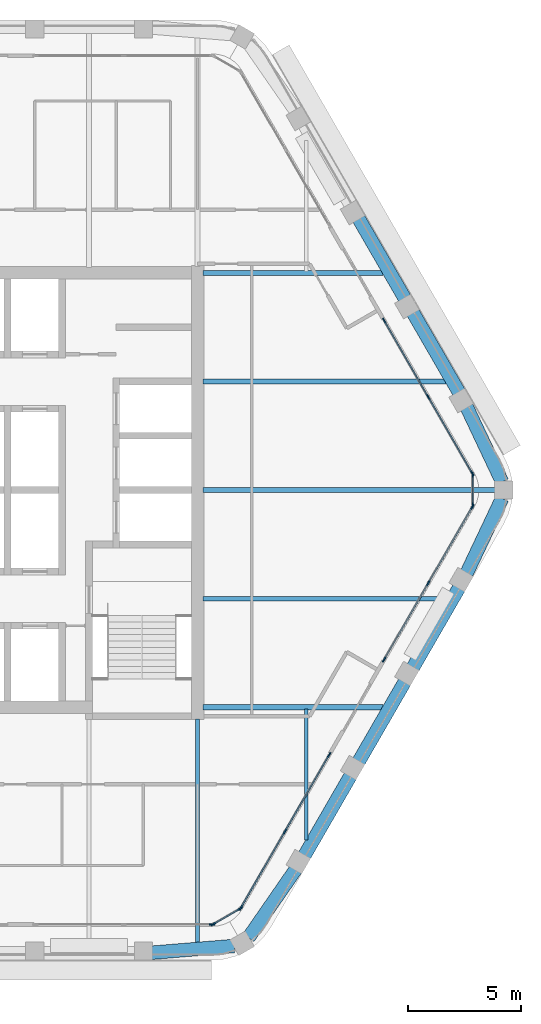
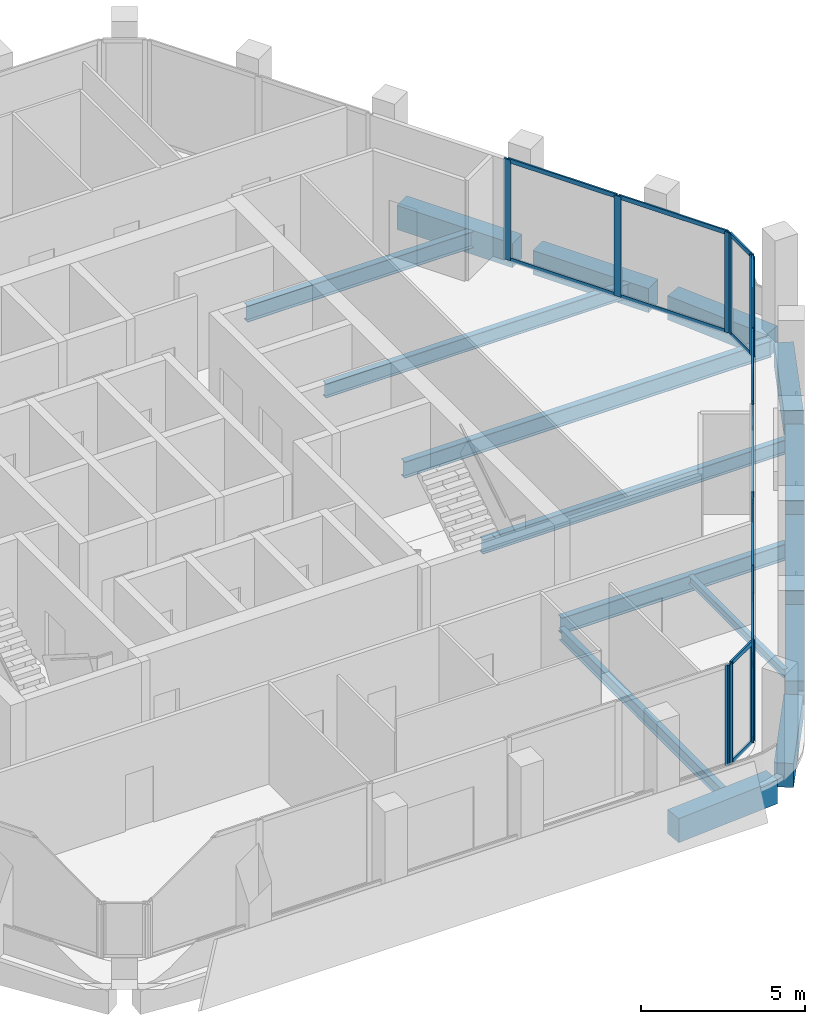
# One storey, part 4 of 13: 30 members, 16 beams, 6 elements without a shape of their own.
"""IFC4 building model written with IfcOpenShell, lengths in metres."""

from ifc_helpers import new_model, si_unit, direction, frame, origin, origin_2d, place, context, subcontext, project, spatial, rectangle, i_section, extrude, material, material_profile, profile_set, type_object, element, aggregate, save


model = new_model("IFC4")

# Units and contexts
model_context = context("Model", 3, precision=1e-05, world=origin(), true_north=direction((0.0, 1.0)))
body_context = subcontext(model_context, "Body", "Model", "MODEL_VIEW")
ifc_project = project(units=[si_unit("LENGTHUNIT", "METRE"), si_unit("AREAUNIT", "SQUARE_METRE"), si_unit("VOLUMEUNIT", "CUBIC_METRE"), si_unit("PLANEANGLEUNIT", "RADIAN"), si_unit("MASSUNIT", "GRAM", prefix="KILO")], contexts=[model_context])

# Site, building, storey
site_placement = place(None, origin())
site = spatial("IfcSite", under=ifc_project, at=site_placement, CompositionType="ELEMENT")
building_placement = place(site_placement, origin())
building = spatial("IfcBuilding", under=site, at=building_placement, Name="Kolab Exchange Tower", CompositionType="ELEMENT")
storey_placement = place(building_placement, frame((0.0, 0.0, 257.89990234375)))
storey = spatial("IfcBuildingStorey", under=building, at=storey_placement, Name="L57", CompositionType="ELEMENT", Elevation=257.89990234375)

# Beams
ifc_material_1 = material(Name="Steel S355", Category="steel")
ifc_material_profile_1 = material_profile(ifc_material_1, i_section(OverallWidth=0.1650390625, OverallDepth=0.31005859375, WebThickness=0.005859375, FlangeThickness=0.009765625, at=origin_2d()), Name="W310X39")
ifc_profile_set_1 = profile_set([ifc_material_profile_1], Name="Steel S355")
beam_type_1 = type_object("IfcBeamType", Name="FLOOR BEAM W310X39", PredefinedType="BEAM", material=ifc_profile_set_1)
beam_1_placement = place(storey_placement, frame((14.39990234375, -15.4677734375, -0.304931640625), z_axis=(0.0, 1.0, 0.0), x_axis=(-1.0, 0.0, 0.0)))
element("IfcBeam", 1, at=beam_1_placement, inside=storey, type_object=beam_type_1, Name="beam/L57/fr/018", PredefinedType="BEAM", context=body_context, shape_type="SweptSolid", body=[
    extrude(i_section(OverallWidth=0.1650390625, OverallDepth=0.31005859375, WebThickness=0.005859375, FlangeThickness=0.009765625, at=origin_2d()), origin(), (0.0, 0.0, 1.0), 5.793701171875),
])
ifc_material_profile_2 = material_profile(ifc_material_1, i_section(OverallWidth=0.18994140625, OverallDepth=0.45703125, WebThickness=0.009033203125, FlangeThickness=0.014404296875, at=origin_2d()), Name="W460X74")
ifc_profile_set_2 = profile_set([ifc_material_profile_2], Name="Steel S355")
beam_type_2 = type_object("IfcBeamType", Name="FLOOR BEAM W460X74", PredefinedType="BEAM", material=ifc_profile_set_2)
beam_2_placement = place(storey_placement, frame((9.60009765625, -20.027099609375, -0.37841796875), z_axis=(0.0, 1.0, 0.0), x_axis=(-1.0, 0.0, 0.0)))
element("IfcBeam", 2, at=beam_2_placement, inside=storey, type_object=beam_type_2, Name="beam/L57/fr/013", PredefinedType="BEAM", context=body_context, shape_type="SweptSolid", body=[
    extrude(i_section(OverallWidth=0.18994140625, OverallDepth=0.45703125, WebThickness=0.009033203125, FlangeThickness=0.014404296875, at=origin_2d()), origin(), (0.0, 0.0, 1.0), 9.9169921875),
])
ifc_material_profile_3 = material_profile(ifc_material_1, i_section(OverallWidth=0.208984375, OverallDepth=0.532958984375, WebThickness=0.01025390625, FlangeThickness=0.015625, at=origin_2d()), Name="W530X92")
ifc_profile_set_3 = profile_set([ifc_material_profile_3], Name="Steel S355")
beam_type_3 = type_object("IfcBeamType", Name="FLOOR BEAM W530X92", PredefinedType="BEAM", material=ifc_profile_set_3)
for number, where, z_axis, x_axis, name in (
    (3, (9.8349609375, -4.800048828125, -0.41650390625), (1.0, 0.0, 0.0), (0.0, 1.0, 0.0), "beam/L57/fr/015"),
    (4, (9.8349609375, 4.800048828125, -0.41650390625), (1.0, 0.0, 0.0), (0.0, 1.0, 0.0), "beam/L57/fr/017"),
):
    element("IfcBeam", number, at=place(storey_placement, frame(where, z_axis=z_axis, x_axis=x_axis)), inside=storey, type_object=beam_type_3, Name=name, PredefinedType="BEAM", context=body_context, shape_type="SweptSolid", body=[
        extrude(i_section(OverallWidth=0.208984375, OverallDepth=0.532958984375, WebThickness=0.01025390625, FlangeThickness=0.015625, at=origin_2d()), origin(), (0.0, 0.0, 1.0), 10.740966796875),
    ])
ifc_material_profile_4 = material_profile(ifc_material_1, i_section(OverallWidth=0.22802734375, OverallDepth=0.60791015625, WebThickness=0.01123046875, FlangeThickness=0.017333984375, at=origin_2d()), Name="W610X113")
ifc_profile_set_4 = profile_set([ifc_material_profile_4], Name="Steel S355")
beam_type_4 = type_object("IfcBeamType", Name="FLOOR BEAM W610X113", PredefinedType="BEAM", material=ifc_profile_set_4)
beam_3_placement = place(storey_placement, frame((9.8349609375, 0.0, -0.453857421875), z_axis=(1.0, 0.0, 0.0), x_axis=(0.0, 1.0, 0.0)))
element("IfcBeam", 5, at=beam_3_placement, inside=storey, type_object=beam_type_4, Name="beam/L57/fr/016", PredefinedType="BEAM", context=body_context, shape_type="SweptSolid", body=[
    extrude(i_section(OverallWidth=0.22802734375, OverallDepth=0.60791015625, WebThickness=0.01123046875, FlangeThickness=0.017333984375, at=origin_2d()), origin(), (0.0, 0.0, 1.0), 12.94091796875),
])
ifc_material_profile_5 = material_profile(ifc_material_1, i_section(OverallWidth=0.22802734375, OverallDepth=0.60791015625, WebThickness=0.01123046875, FlangeThickness=0.017333984375, at=origin_2d()), Name="W610X113")
ifc_profile_set_5 = profile_set([ifc_material_profile_5], Name="Steel S355")
beam_type_5 = type_object("IfcBeamType", Name="FLOOR GIRDER W610X113", PredefinedType="BEAM", material=ifc_profile_set_5)
for number, where, z_axis, x_axis, name in (
    (6, (9.8349609375, -9.60009765625, -0.453857421875), (1.0, 0.0, 0.0), (0.0, 1.0, 0.0), "beam/L57/gd/002"),
    (7, (9.8349609375, 9.60009765625, -0.453857421875), (1.0, 0.0, 0.0), (0.0, 1.0, 0.0), "beam/L57/gd/003"),
):
    element("IfcBeam", number, at=place(storey_placement, frame(where, z_axis=z_axis, x_axis=x_axis)), inside=storey, type_object=beam_type_5, Name=name, PredefinedType="BEAM", context=body_context, shape_type="SweptSolid", body=[
        extrude(i_section(OverallWidth=0.22802734375, OverallDepth=0.60791015625, WebThickness=0.01123046875, FlangeThickness=0.017333984375, at=origin_2d()), origin(), (0.0, 0.0, 1.0), 7.9697265625),
    ])
ifc_material_2 = material(Name="Concrete C50/60", Category="concrete")
ifc_material_profile_6 = material_profile(ifc_material_2, rectangle(XDim=0.60009765625, YDim=0.89990234375, at=origin_2d()), Name="RC600X900")
ifc_profile_set_6 = profile_set([ifc_material_profile_6], Name="Concrete C50/60")
beam_type_6 = type_object("IfcBeamType", Name="SPANDREL BEAM 600X900 C50/60", PredefinedType="BEAM", material=ifc_profile_set_6)
for number, where, z_axis, x_axis, name in (
    (8, (16.72021484375, 12.009033203125, -0.599853515625), (0.500000428765, -0.866025156237, 0.0), (0.866025156237, 0.500000428765, 0.0), "beam/L57/sp/F2-03"),
    (9, (19.1201171875, 7.85205078125, -0.599853515625), (0.500000428765, -0.866025156237, 0.0), (0.866025156237, 0.500000428765, 0.0), "beam/L57/sp/F2-04"),
):
    element("IfcBeam", number, at=place(storey_placement, frame(where, z_axis=z_axis, x_axis=x_axis)), inside=storey, type_object=beam_type_6, Name=name, PredefinedType="BEAM", context=body_context, shape_type="SweptSolid", body=[
        extrude(rectangle(XDim=0.60009765625, YDim=0.89990234375, at=origin_2d()), origin(), (0.0, 0.0, 1.0), 4.080078125),
    ])
for number, where, z_axis, x_axis, name in (
    (10, (21.49462890625, 3.68017578125, -0.599853515625), (0.427677251998, -0.903931506323, 0.0), (0.903931506323, 0.427677251998, 0.0), "beam/L57/sp/F2-05"),
    (11, (23.063720703125, -0.36376953125, -0.599853515625), (-0.427677251998, -0.903931506323, 0.0), (0.903931506323, -0.427677251998, 0.0), "beam/L57/sp/F3-01"),
):
    element("IfcBeam", number, at=place(storey_placement, frame(where, z_axis=z_axis, x_axis=x_axis)), inside=storey, type_object=beam_type_6, Name=name, PredefinedType="BEAM", context=body_context, shape_type="SweptSolid", body=[
        extrude(rectangle(XDim=0.60009765625, YDim=0.89990234375, at=origin_2d()), origin(), (0.0, 0.0, 1.0), 3.6689453125),
    ])
for number, where, z_axis, x_axis, name in (
    (12, (21.16015625, -4.318603515625, -0.599853515625), (-0.500000428765, -0.866025156237, 0.0), (0.866025156237, -0.500000428765, 0.0), "beam/L57/sp/F3-02"),
    (13, (18.76025390625, -8.4755859375, -0.599853515625), (-0.500000428765, -0.866025156237, 0.0), (0.866025156237, -0.500000428765, 0.0), "beam/L57/sp/F3-03"),
):
    element("IfcBeam", number, at=place(storey_placement, frame(where, z_axis=z_axis, x_axis=x_axis)), inside=storey, type_object=beam_type_6, Name=name, PredefinedType="BEAM", context=body_context, shape_type="SweptSolid", body=[
        extrude(rectangle(XDim=0.60009765625, YDim=0.89990234375, at=origin_2d()), origin(), (0.0, 0.0, 1.0), 4.080078125),
    ])
beam_4_placement = place(storey_placement, frame((16.360107421875, -12.632568359375, -0.599853515625), z_axis=(-0.499955548806, -0.866051066172, 0.0), x_axis=(0.866051066172, -0.499955548806, 0.0)))
element("IfcBeam", 14, at=beam_4_placement, inside=storey, type_object=beam_type_6, Name="beam/L57/sp/F3-04", PredefinedType="BEAM", context=body_context, shape_type="SweptSolid", body=[
    extrude(rectangle(XDim=0.60009765625, YDim=0.89990234375, at=origin_2d()), origin(), (0.0, 0.0, 1.0), 4.079833984375),
])
for number, where, z_axis, x_axis, name in (
    (15, (13.9345703125, -16.77490234375, -0.599853515625), (-0.569005808573, -0.822333502789, 0.0), (0.822333502789, -0.569005808573, 0.0), "beam/L57/sp/F3-05"),
    (16, (11.216796875, -20.15576171875, -0.599853515625), (-0.996666751878, -0.081580547323, 0.0), (0.081580547323, -0.996666751878, 0.0), "beam/L57/sp/F4-01"),
):
    element("IfcBeam", number, at=place(storey_placement, frame(where, z_axis=z_axis, x_axis=x_axis)), inside=storey, type_object=beam_type_6, Name=name, PredefinedType="BEAM", context=body_context, shape_type="SweptSolid", body=[
        extrude(rectangle(XDim=0.60009765625, YDim=0.89990234375, at=origin_2d()), origin(), (0.0, 0.0, 1.0), 3.6689453125),
    ])

# Curtain wall, members
ifc_material_3 = material(Name="Aluminium EN AW-6063 T6", Category="aluminium")
curtain_wall_type = type_object("IfcCurtainWallType", Name="UNITISED HIGH ZONE CURTAIN WALL", PredefinedType="NOTDEFINED", material=ifc_material_3)
curtain_wall_1_placement = place(storey_placement, origin())
curtain_wall_1 = element("IfcCurtainWall", 17, at=curtain_wall_1_placement, inside=storey, type_object=curtain_wall_type, Name="cw/L57/F2-2", PredefinedType="NOTDEFINED")
ifc_material_profile_7 = material_profile(ifc_material_3, rectangle(XDim=0.06005859375, YDim=0.239990234375, at=origin_2d()), Name="RECT 60X240")
ifc_profile_set_7 = profile_set([ifc_material_profile_7], Name="Aluminium EN AW-6063 T6")
member_type_1 = type_object("IfcMemberType", Name="UNITISED HIGH ZONE MULLION 60 X 240", PredefinedType="MULLION", material=ifc_profile_set_7)
member_1_placement = place(storey_placement, frame((17.8466796875, 7.497802734375, 0.0), z_axis=(0.0, 0.0, 1.0), x_axis=(0.866025440524, 0.499999936366, 0.0)))
member_1 = element("IfcMember", 18, at=member_1_placement, type_object=member_type_1, Name="CW4 mullion 1", PredefinedType="MULLION", context=body_context, shape_type="SweptSolid", body=[
    extrude(rectangle(XDim=0.06005859375, YDim=0.239990234375, at=origin_2d()), origin(), (0.0, 0.0, 1.0), 3.75),
])
member_2_placement = place(storey_placement, frame((19.798583984375, 4.116943359375, 0.0), z_axis=(0.0, 0.0, 1.0), x_axis=(0.866025440524, 0.499999936366, 0.0)))
member_2 = element("IfcMember", 19, at=member_2_placement, type_object=member_type_1, Name="CW4 mullion 2", PredefinedType="MULLION", context=body_context, shape_type="SweptSolid", body=[
    extrude(rectangle(XDim=0.06005859375, YDim=0.239990234375, at=origin_2d()), origin(), (0.0, 0.0, 1.0), 3.75),
])
member_3_placement = place(storey_placement, frame((21.750732421875, 0.736083984375, 0.0), z_axis=(0.0, 0.0, 1.0), x_axis=(0.866025440524, 0.499999936366, 0.0)))
member_3 = element("IfcMember", 20, at=member_3_placement, type_object=member_type_1, Name="CW4 mullion 3", PredefinedType="MULLION", context=body_context, shape_type="SweptSolid", body=[
    extrude(rectangle(XDim=0.06005859375, YDim=0.239990234375, at=origin_2d()), origin(), (0.0, 0.0, 1.0), 3.75),
])

curtain_wall_2_placement = place(storey_placement, origin())
curtain_wall_2 = element("IfcCurtainWall", 21, at=curtain_wall_2_placement, inside=storey, type_object=curtain_wall_type, Name="cw/L57/F3-1", PredefinedType="NOTDEFINED")
member_4_placement = place(storey_placement, frame((21.750732421875, -0.736083984375, 0.0), z_axis=(0.0, 0.0, 1.0), x_axis=(0.866025440524, -0.499999936366, 0.0)))
member_4 = element("IfcMember", 22, at=member_4_placement, type_object=member_type_1, Name="CW4 mullion 1", PredefinedType="MULLION", context=body_context, shape_type="SweptSolid", body=[
    extrude(rectangle(XDim=0.06005859375, YDim=0.239990234375, at=origin_2d()), origin(), (0.0, 0.0, 1.0), 3.75),
])
member_5_placement = place(storey_placement, frame((19.798583984375, -4.116943359375, 0.0), z_axis=(0.0, 0.0, 1.0), x_axis=(0.866025440524, -0.499999936366, 0.0)))
member_5 = element("IfcMember", 23, at=member_5_placement, type_object=member_type_1, Name="CW4 mullion 2", PredefinedType="MULLION", context=body_context, shape_type="SweptSolid", body=[
    extrude(rectangle(XDim=0.06005859375, YDim=0.239990234375, at=origin_2d()), origin(), (0.0, 0.0, 1.0), 3.75),
])
member_6_placement = place(storey_placement, frame((17.8466796875, -7.497802734375, 0.0), z_axis=(0.0, 0.0, 1.0), x_axis=(0.866025440524, -0.499999936366, 0.0)))
member_6 = element("IfcMember", 24, at=member_6_placement, type_object=member_type_1, Name="CW4 mullion 3", PredefinedType="MULLION", context=body_context, shape_type="SweptSolid", body=[
    extrude(rectangle(XDim=0.06005859375, YDim=0.239990234375, at=origin_2d()), origin(), (0.0, 0.0, 1.0), 3.75),
])

curtain_wall_3_placement = place(storey_placement, origin())
curtain_wall_3 = element("IfcCurtainWall", 25, at=curtain_wall_3_placement, inside=storey, type_object=curtain_wall_type, Name="cw/L57/F3-2", PredefinedType="NOTDEFINED")
member_7_placement = place(storey_placement, frame((15.416748046875, -11.706787109375, 0.0), z_axis=(0.0, 0.0, 1.0), x_axis=(0.866025385493, -0.500000031681, 0.0)))
member_7 = element("IfcMember", 26, at=member_7_placement, type_object=member_type_1, Name="CW4 mullion 1", PredefinedType="MULLION", context=body_context, shape_type="SweptSolid", body=[
    extrude(rectangle(XDim=0.06005859375, YDim=0.239990234375, at=origin_2d()), origin(), (0.0, 0.0, 1.0), 3.75),
])
member_8_placement = place(storey_placement, frame((13.464599609375, -15.087646484375, 0.0), z_axis=(0.0, 0.0, 1.0), x_axis=(0.866025385493, -0.500000031681, 0.0)))
member_8 = element("IfcMember", 27, at=member_8_placement, type_object=member_type_1, Name="CW4 mullion 2", PredefinedType="MULLION", context=body_context, shape_type="SweptSolid", body=[
    extrude(rectangle(XDim=0.06005859375, YDim=0.239990234375, at=origin_2d()), origin(), (0.0, 0.0, 1.0), 3.75),
])
member_9_placement = place(storey_placement, frame((11.5126953125, -18.46875, 0.0), z_axis=(0.0, 0.0, 1.0), x_axis=(0.866025385493, -0.500000031681, 0.0)))
member_9 = element("IfcMember", 28, at=member_9_placement, type_object=member_type_1, Name="CW4 mullion 3", PredefinedType="MULLION", context=body_context, shape_type="SweptSolid", body=[
    extrude(rectangle(XDim=0.06005859375, YDim=0.239990234375, at=origin_2d()), origin(), (0.0, 0.0, 1.0), 3.75),
])

# Curtain wall, member
curtain_wall_4_placement = place(storey_placement, origin())
curtain_wall_4 = element("IfcCurtainWall", 29, at=curtain_wall_4_placement, inside=storey, type_object=curtain_wall_type, Name="cw/L57/F4-1", PredefinedType="NOTDEFINED")
member_10_placement = place(storey_placement, frame((10.238037109375, -19.20458984375, 0.0), z_axis=(0.0, 0.0, 1.0), x_axis=(0.0, -1.0, 0.0)))
member_10 = element("IfcMember", 30, at=member_10_placement, type_object=member_type_1, Name="CW4 mullion 1", PredefinedType="MULLION", context=body_context, shape_type="SweptSolid", body=[
    extrude(rectangle(XDim=0.06005859375, YDim=0.239990234375, at=origin_2d()), origin(), (0.0, 0.0, 1.0), 3.75),
])
aggregate(curtain_wall_4, [member_10])

# Curtain wall, members
curtain_wall_5_placement = place(storey_placement, origin())
curtain_wall_5 = element("IfcCurtainWall", 31, at=curtain_wall_5_placement, inside=storey, type_object=curtain_wall_type, Name="cw/L57/F2F3-corner", PredefinedType="NOTDEFINED")
member_11_placement = place(storey_placement, frame((21.765625, 0.679931640625, 0.0), z_axis=(0.0, 0.0, 1.0), x_axis=(1.0, 0.0, 0.0)))
member_11 = element("IfcMember", 32, at=member_11_placement, type_object=member_type_1, Name="CW4 mullion 1", PredefinedType="MULLION", context=body_context, shape_type="SweptSolid", body=[
    extrude(rectangle(XDim=0.06005859375, YDim=0.239990234375, at=origin_2d()), origin(), (0.0, 0.0, 1.0), 3.75),
])
member_12_placement = place(storey_placement, frame((21.765625, -0.679931640625, 0.0), z_axis=(0.0, 0.0, 1.0), x_axis=(1.0, 0.0, 0.0)))
member_12 = element("IfcMember", 33, at=member_12_placement, type_object=member_type_1, Name="CW4 mullion 2", PredefinedType="MULLION", context=body_context, shape_type="SweptSolid", body=[
    extrude(rectangle(XDim=0.06005859375, YDim=0.239990234375, at=origin_2d()), origin(), (0.0, 0.0, 1.0), 3.75),
])

curtain_wall_6_placement = place(storey_placement, origin())
curtain_wall_6 = element("IfcCurtainWall", 34, at=curtain_wall_6_placement, inside=storey, type_object=curtain_wall_type, Name="cw/L57/F3F4-corner", PredefinedType="NOTDEFINED")
member_13_placement = place(storey_placement, frame((11.4716796875, -18.509521484375, 0.0), z_axis=(0.0, 0.0, 1.0), x_axis=(0.50000002237, -0.866025390869, 0.0)))
member_13 = element("IfcMember", 35, at=member_13_placement, type_object=member_type_1, Name="CW4 mullion 1", PredefinedType="MULLION", context=body_context, shape_type="SweptSolid", body=[
    extrude(rectangle(XDim=0.06005859375, YDim=0.239990234375, at=origin_2d()), origin(), (0.0, 0.0, 1.0), 3.75),
])
member_14_placement = place(storey_placement, frame((10.2939453125, -19.189697265625, 0.0), z_axis=(0.0, 0.0, 1.0), x_axis=(0.50000002237, -0.866025390869, 0.0)))
member_14 = element("IfcMember", 36, at=member_14_placement, type_object=member_type_1, Name="CW4 mullion 2", PredefinedType="MULLION", context=body_context, shape_type="SweptSolid", body=[
    extrude(rectangle(XDim=0.06005859375, YDim=0.239990234375, at=origin_2d()), origin(), (0.0, 0.0, 1.0), 3.75),
])

# Member
ifc_material_profile_8 = material_profile(ifc_material_3, rectangle(XDim=0.06005859375, YDim=0.159912109375, at=origin_2d()), Name="RECT 60X160")
ifc_profile_set_8 = profile_set([ifc_material_profile_8], Name="Aluminium EN AW-6063 T6")
member_type_2 = type_object("IfcMemberType", Name="UNITISED HIGH ZONE TRANSOM 60 X 160", PredefinedType="USERDEFINED", material=ifc_profile_set_8)
member_15_placement = place(storey_placement, frame((17.861572265625, 7.471923828125, 0.030029296875), z_axis=(0.500011990396, -0.866018481016, 0.0), x_axis=(0.866018481016, 0.500011990396, 0.0)))
member_15 = element("IfcMember", 37, at=member_15_placement, type_object=member_type_2, Name="CW4 transom 1.1", ObjectType="TRANSOM", PredefinedType="USERDEFINED", context=body_context, shape_type="SweptSolid", body=[
    extrude(rectangle(XDim=0.06005859375, YDim=0.159912109375, at=origin_2d()), origin(), (0.0, 0.0, 1.0), 3.84423828125),
])

member_16_placement = place(storey_placement, frame((17.861572265625, 7.471923828125, 3.72021484375), z_axis=(0.500011990396, -0.866018481016, 0.0), x_axis=(0.866018481016, 0.500011990396, 0.0)))
member_16 = element("IfcMember", 38, at=member_16_placement, type_object=member_type_2, Name="CW4 transom 1.2", ObjectType="TRANSOM", PredefinedType="USERDEFINED", context=body_context, shape_type="SweptSolid", body=[
    extrude(rectangle(XDim=0.06005859375, YDim=0.159912109375, at=origin_2d()), origin(), (0.0, 0.0, 1.0), 3.84423828125),
])

member_17_placement = place(storey_placement, frame((19.813720703125, 4.0908203125, 0.030029296875), z_axis=(0.499991857942, -0.866030104553, 0.0), x_axis=(0.866030104553, 0.499991857942, 0.0)))
member_17 = element("IfcMember", 39, at=member_17_placement, type_object=member_type_2, Name="CW4 transom 2.1", ObjectType="TRANSOM", PredefinedType="USERDEFINED", context=body_context, shape_type="SweptSolid", body=[
    extrude(rectangle(XDim=0.06005859375, YDim=0.159912109375, at=origin_2d()), origin(), (0.0, 0.0, 1.0), 3.84375),
])

member_18_placement = place(storey_placement, frame((19.813720703125, 4.0908203125, 3.72021484375), z_axis=(0.499991857942, -0.866030104553, 0.0), x_axis=(0.866030104553, 0.499991857942, 0.0)))
member_18 = element("IfcMember", 40, at=member_18_placement, type_object=member_type_2, Name="CW4 transom 2.2", ObjectType="TRANSOM", PredefinedType="USERDEFINED", context=body_context, shape_type="SweptSolid", body=[
    extrude(rectangle(XDim=0.06005859375, YDim=0.159912109375, at=origin_2d()), origin(), (0.0, 0.0, 1.0), 3.84375),
])

aggregate(curtain_wall_1, [member_1, member_2, member_3, member_15, member_16, member_17, member_18])

member_19_placement = place(storey_placement, frame((21.735595703125, -0.761962890625, 0.030029296875), z_axis=(-0.499991857942, -0.866030104553, 0.0), x_axis=(0.866030104553, -0.499991857942, 0.0)))
member_19 = element("IfcMember", 41, at=member_19_placement, type_object=member_type_2, Name="CW4 transom 1.1", ObjectType="TRANSOM", PredefinedType="USERDEFINED", context=body_context, shape_type="SweptSolid", body=[
    extrude(rectangle(XDim=0.06005859375, YDim=0.159912109375, at=origin_2d()), origin(), (0.0, 0.0, 1.0), 3.84375),
])

member_20_placement = place(storey_placement, frame((21.735595703125, -0.761962890625, 3.72021484375), z_axis=(-0.499991857942, -0.866030104553, 0.0), x_axis=(0.866030104553, -0.499991857942, 0.0)))
member_20 = element("IfcMember", 42, at=member_20_placement, type_object=member_type_2, Name="CW4 transom 1.2", ObjectType="TRANSOM", PredefinedType="USERDEFINED", context=body_context, shape_type="SweptSolid", body=[
    extrude(rectangle(XDim=0.06005859375, YDim=0.159912109375, at=origin_2d()), origin(), (0.0, 0.0, 1.0), 3.84375),
])

member_21_placement = place(storey_placement, frame((19.78369140625, -4.142822265625, 0.030029296875), z_axis=(-0.500011990396, -0.866018481016, 0.0), x_axis=(0.866018481016, -0.500011990396, 0.0)))
member_21 = element("IfcMember", 43, at=member_21_placement, type_object=member_type_2, Name="CW4 transom 2.1", ObjectType="TRANSOM", PredefinedType="USERDEFINED", context=body_context, shape_type="SweptSolid", body=[
    extrude(rectangle(XDim=0.06005859375, YDim=0.159912109375, at=origin_2d()), origin(), (0.0, 0.0, 1.0), 3.84423828125),
])

member_22_placement = place(storey_placement, frame((19.78369140625, -4.142822265625, 3.72021484375), z_axis=(-0.500011990396, -0.866018481016, 0.0), x_axis=(0.866018481016, -0.500011990396, 0.0)))
member_22 = element("IfcMember", 44, at=member_22_placement, type_object=member_type_2, Name="CW4 transom 2.2", ObjectType="TRANSOM", PredefinedType="USERDEFINED", context=body_context, shape_type="SweptSolid", body=[
    extrude(rectangle(XDim=0.06005859375, YDim=0.159912109375, at=origin_2d()), origin(), (0.0, 0.0, 1.0), 3.84423828125),
])

aggregate(curtain_wall_2, [member_4, member_5, member_6, member_19, member_20, member_21, member_22])

member_23_placement = place(storey_placement, frame((15.401611328125, -11.732666015625, 0.030029296875), z_axis=(-0.499964356602, -0.866045981532, 0.0), x_axis=(0.866045981532, -0.499964356602, 0.0)))
member_23 = element("IfcMember", 45, at=member_23_placement, type_object=member_type_2, Name="CW4 transom 1.1", ObjectType="TRANSOM", PredefinedType="USERDEFINED", context=body_context, shape_type="SweptSolid", body=[
    extrude(rectangle(XDim=0.06005859375, YDim=0.159912109375, at=origin_2d()), origin(), (0.0, 0.0, 1.0), 3.843994140625),
])

member_24_placement = place(storey_placement, frame((15.401611328125, -11.732666015625, 3.72021484375), z_axis=(-0.499964356602, -0.866045981532, 0.0), x_axis=(0.866045981532, -0.499964356602, 0.0)))
member_24 = element("IfcMember", 46, at=member_24_placement, type_object=member_type_2, Name="CW4 transom 1.2", ObjectType="TRANSOM", PredefinedType="USERDEFINED", context=body_context, shape_type="SweptSolid", body=[
    extrude(rectangle(XDim=0.06005859375, YDim=0.159912109375, at=origin_2d()), origin(), (0.0, 0.0, 1.0), 3.843994140625),
])

member_25_placement = place(storey_placement, frame((13.44970703125, -15.11376953125, 0.030029296875), z_axis=(-0.500039492609, -0.866002601515, 0.0), x_axis=(0.866002601515, -0.500039492609, 0.0)))
member_25 = element("IfcMember", 47, at=member_25_placement, type_object=member_type_2, Name="CW4 transom 2.1", ObjectType="TRANSOM", PredefinedType="USERDEFINED", context=body_context, shape_type="SweptSolid", body=[
    extrude(rectangle(XDim=0.06005859375, YDim=0.159912109375, at=origin_2d()), origin(), (0.0, 0.0, 1.0), 3.843994140625),
])

member_26_placement = place(storey_placement, frame((13.44970703125, -15.11376953125, 3.72021484375), z_axis=(-0.500039492609, -0.866002601515, 0.0), x_axis=(0.866002601515, -0.500039492609, 0.0)))
member_26 = element("IfcMember", 48, at=member_26_placement, type_object=member_type_2, Name="CW4 transom 2.2", ObjectType="TRANSOM", PredefinedType="USERDEFINED", context=body_context, shape_type="SweptSolid", body=[
    extrude(rectangle(XDim=0.06005859375, YDim=0.159912109375, at=origin_2d()), origin(), (0.0, 0.0, 1.0), 3.843994140625),
])

aggregate(curtain_wall_3, [member_7, member_8, member_9, member_23, member_24, member_25, member_26])

member_27_placement = place(storey_placement, frame((21.765625, 0.64990234375, 0.030029296875), z_axis=(0.0, -1.0, 0.0), x_axis=(1.0, 0.0, 0.0)))
member_27 = element("IfcMember", 49, at=member_27_placement, type_object=member_type_2, Name="CW4 transom 1.1", ObjectType="TRANSOM", PredefinedType="USERDEFINED", context=body_context, shape_type="SweptSolid", body=[
    extrude(rectangle(XDim=0.06005859375, YDim=0.159912109375, at=origin_2d()), origin(), (0.0, 0.0, 1.0), 1.2998046875),
])

member_28_placement = place(storey_placement, frame((21.765625, 0.64990234375, 3.72021484375), z_axis=(0.0, -1.0, 0.0), x_axis=(1.0, 0.0, 0.0)))
member_28 = element("IfcMember", 50, at=member_28_placement, type_object=member_type_2, Name="CW4 transom 1.2", ObjectType="TRANSOM", PredefinedType="USERDEFINED", context=body_context, shape_type="SweptSolid", body=[
    extrude(rectangle(XDim=0.06005859375, YDim=0.159912109375, at=origin_2d()), origin(), (0.0, 0.0, 1.0), 1.2998046875),
])

aggregate(curtain_wall_5, [member_11, member_12, member_27, member_28])

member_29_placement = place(storey_placement, frame((11.44580078125, -18.524658203125, 0.030029296875), z_axis=(-0.866085525409, -0.49989585183, 0.0), x_axis=(0.49989585183, -0.866085525409, 0.0)))
member_29 = element("IfcMember", 51, at=member_29_placement, type_object=member_type_2, Name="CW4 transom 1.1", ObjectType="TRANSOM", PredefinedType="USERDEFINED", context=body_context, shape_type="SweptSolid", body=[
    extrude(rectangle(XDim=0.06005859375, YDim=0.159912109375, at=origin_2d()), origin(), (0.0, 0.0, 1.0), 1.300048828125),
])

member_30_placement = place(storey_placement, frame((11.44580078125, -18.524658203125, 3.72021484375), z_axis=(-0.866085525409, -0.49989585183, 0.0), x_axis=(0.49989585183, -0.866085525409, 0.0)))
member_30 = element("IfcMember", 52, at=member_30_placement, type_object=member_type_2, Name="CW4 transom 1.2", ObjectType="TRANSOM", PredefinedType="USERDEFINED", context=body_context, shape_type="SweptSolid", body=[
    extrude(rectangle(XDim=0.06005859375, YDim=0.159912109375, at=origin_2d()), origin(), (0.0, 0.0, 1.0), 1.300048828125),
])

aggregate(curtain_wall_6, [member_13, member_14, member_29, member_30])

save(model, "model.ifc")
